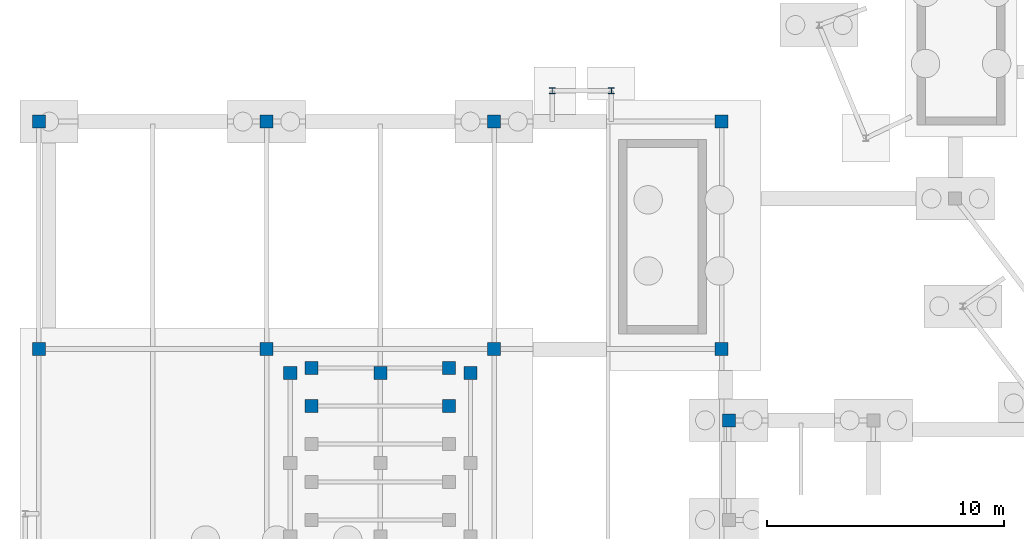
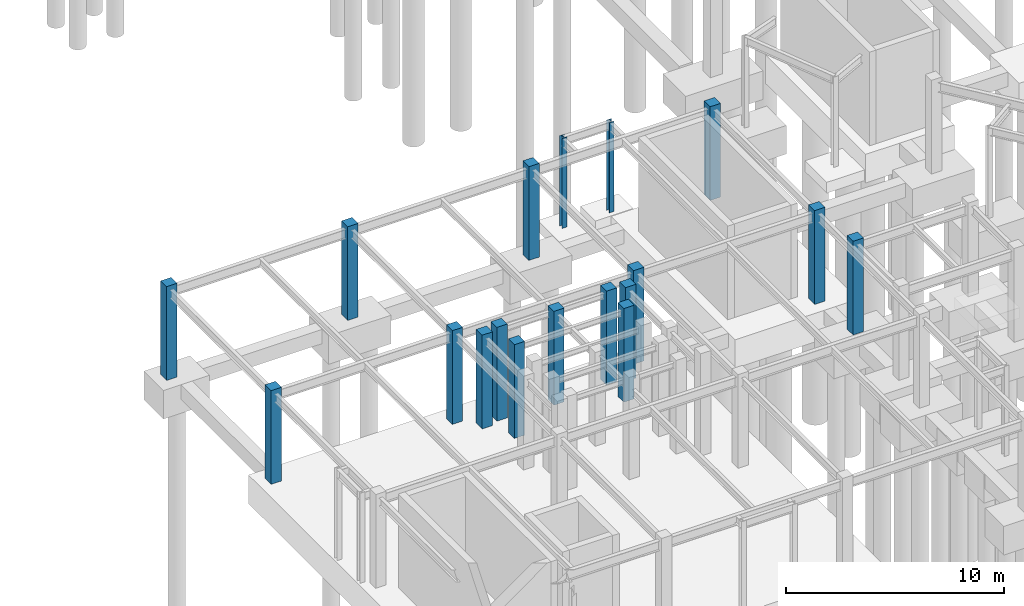
# One storey, part 10 of 55: 18 columns.
"""IFC4 building model written with IfcOpenShell, lengths in metres."""

from ifc_helpers import new_model, si_unit, direction, frame, origin, origin_2d, place, context, subcontext, project, spatial, rectangle, i_section, extrude, material, material_profile, profile_set, type_object, element, save


model = new_model("IFC4")

# Units and contexts
model_context = context("Model", 3, precision=1e-05, world=origin(), true_north=direction((0.0, 1.0)))
body_context = subcontext(model_context, "Body", "Model", "MODEL_VIEW")
ifc_project = project(units=[si_unit("LENGTHUNIT", "METRE"), si_unit("AREAUNIT", "SQUARE_METRE"), si_unit("VOLUMEUNIT", "CUBIC_METRE"), si_unit("PLANEANGLEUNIT", "RADIAN"), si_unit("MASSUNIT", "GRAM", prefix="KILO")], contexts=[model_context])

# Site, building, storey
site_placement = place(None, origin())
site = spatial("IfcSite", under=ifc_project, at=site_placement, CompositionType="ELEMENT")
building_placement = place(site_placement, origin())
building = spatial("IfcBuilding", under=site, at=building_placement, Name="Almandine Court Research Institute", CompositionType="ELEMENT")
storey_placement = place(building_placement, frame((0.0, 0.0, -5.25)))
storey = spatial("IfcBuildingStorey", under=building, at=storey_placement, Name="B1", CompositionType="ELEMENT", Elevation=-5.25)

# Columns
ifc_material_1 = material(Name="Concrete C40/50", Category="concrete")
ifc_material_profile_1 = material_profile(ifc_material_1, rectangle(XDim=0.550048828125, YDim=0.550048828125, at=origin_2d()), Name="RC 550x550")
ifc_profile_set_1 = profile_set([ifc_material_profile_1], Name="Concrete C40/50")
column_type_1 = type_object("IfcColumnType", Name="Col-C-RC3", PredefinedType="COLUMN", material=ifc_profile_set_1)
for number, where, z_axis, x_axis, name in (
    (1, (6.0, 25.199951171875, 0.0), (0.0, 0.0, 1.0), (1.0, 0.0, 0.0), "B1 V1 Column V1-X1Y3"),
    (2, (6.0, 34.800048828125, 0.0), (0.0, 0.0, 1.0), (1.0, 0.0, 0.0), "B1 V1 Column V1-X1Y4"),
    (3, (15.60009765625, 25.199951171875, 0.0), (0.0, 0.0, 1.0), (1.0, 0.0, 0.0), "B1 V1 Column V1-X2Y3"),
    (4, (15.60009765625, 34.800048828125, 0.0), (0.0, 0.0, 1.0), (1.0, 0.0, 0.0), "B1 V1 Column V1-X2Y4"),
    (5, (25.199951171875, 25.199951171875, 0.0), (0.0, 0.0, 1.0), (1.0, 0.0, 0.0), "B1 V1 Column V1-X3Y3"),
    (6, (25.199951171875, 34.800048828125, 0.0), (0.0, 0.0, 1.0), (1.0, 0.0, 0.0), "B1 V1 Column V1-X3Y4"),
    (7, (34.800048828125, 25.199951171875, 0.0), (0.0, 0.0, 1.0), (1.0, 0.0, 0.0), "B1 V1 Column V1-X4Y3"),
    (8, (34.800048828125, 34.800048828125, 0.0), (0.0, 0.0, 1.0), (1.0, 0.0, 0.0), "B1 V1 Column V1-X4Y4"),
    (9, (16.60009765625, 24.199951171875, 0.0), (0.0, 0.0, 1.0), (1.0, 0.0, 0.0), "B1 V1 Column V1RK1C"),
    (10, (20.39990234375, 24.199951171875, 0.0), (0.0, 0.0, 1.0), (1.0, 0.0, 0.0), "B1 V1 Column V1RK2C"),
    (11, (24.199951171875, 24.199951171875, 0.0), (0.0, 0.0, 1.0), (1.0, 0.0, 0.0), "B1 V1 Column V1RK3C"),
    (12, (17.5, 22.800048828125, 0.0), (0.0, 0.0, 1.0), (1.0, 0.0, 0.0), "B1 V1 Column V1TR5W"),
    (13, (23.300048828125, 22.800048828125, 0.0), (0.0, 0.0, 1.0), (1.0, 0.0, 0.0), "B1 V1 Column V1TR5E"),
    (14, (17.5, 24.39990234375, 0.0), (0.0, 0.0, 1.0), (1.0, 0.0, 0.0), "B1 V1 Column V1TR6W"),
    (15, (23.300048828125, 24.39990234375, 0.0), (0.0, 0.0, 1.0), (1.0, 0.0, 0.0), "B1 V1 Column V1TR6E"),
    (16, (35.10009765625, 22.199951171875, 0.0), (0.0, 0.0, 1.0), (1.0, 0.0, 0.0), "B1 DAL-SW Column DAL-SW-X1Y2"),
):
    element("IfcColumn", number, at=place(storey_placement, frame(where, z_axis=z_axis, x_axis=x_axis)), inside=storey, type_object=column_type_1, Name=name, PredefinedType="COLUMN", context=body_context, shape_type="SweptSolid", body=[
        extrude(rectangle(XDim=0.550048828125, YDim=0.550048828125, at=origin_2d()), origin(), (0.0, 0.0, 1.0), 5.25),
    ])
ifc_material_2 = material(Name="Steel ASTM A992 Grade 50", Category="steel")
ifc_material_profile_2 = material_profile(ifc_material_2, i_section(OverallWidth=0.25390625, OverallDepth=0.2529296875, WebThickness=0.009033203125, FlangeThickness=0.013916015625, at=origin_2d()), Name="W250x73")
ifc_profile_set_2 = profile_set([ifc_material_profile_2], Name="Steel ASTM A992 Grade 50")
column_type_2 = type_object("IfcColumnType", Name="Col-C-W10", PredefinedType="COLUMN", material=ifc_profile_set_2)
for number, where, z_axis, x_axis, name in (
    (17, (27.64990234375, 36.10009765625, 0.0), (0.0, 0.0, 1.0), (1.0, 0.0, 0.0), "B1 Exterior Threshold Support Column PAD-V1-N3-C1"),
    (18, (30.14990234375, 36.10009765625, 0.0), (0.0, 0.0, 1.0), (1.0, 0.0, 0.0), "B1 Exterior Threshold Support Column PAD-V1-N3-C2"),
):
    element("IfcColumn", number, at=place(storey_placement, frame(where, z_axis=z_axis, x_axis=x_axis)), inside=storey, type_object=column_type_2, Name=name, PredefinedType="COLUMN", context=body_context, shape_type="SweptSolid", body=[
        extrude(i_section(OverallWidth=0.25390625, OverallDepth=0.2529296875, WebThickness=0.009033203125, FlangeThickness=0.013916015625, at=origin_2d()), origin(), (0.0, 0.0, 1.0), 5.050048828125),
    ])

save(model, "model.ifc")
